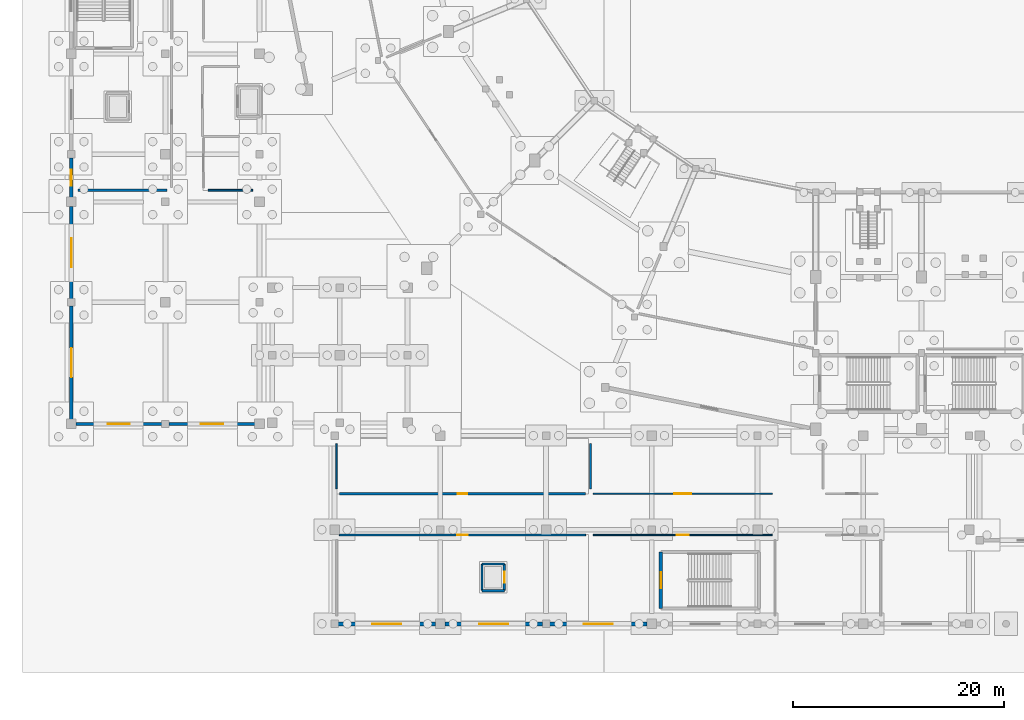
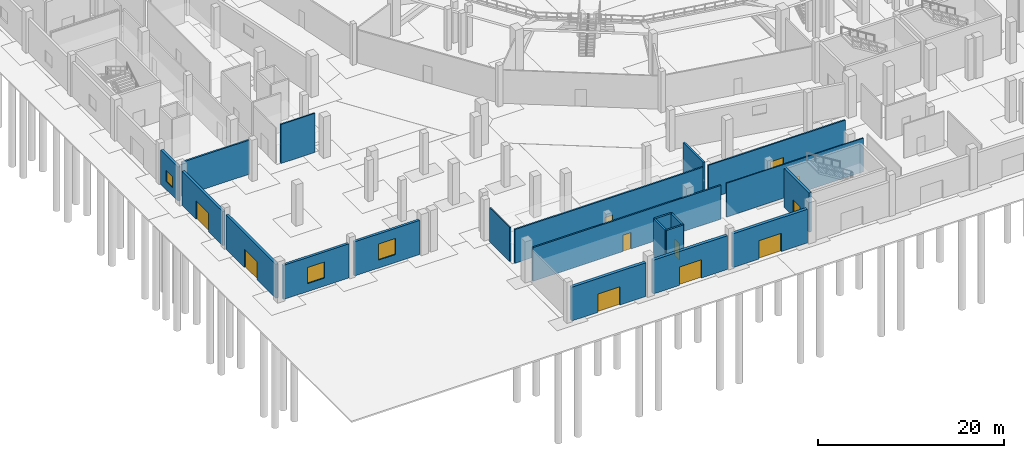
# One storey, part 24 of 68: 21 walls, 11 doors, 3 windows, 14 openings.
"""IFC4 building model written with IfcOpenShell, lengths in metres."""

from ifc_helpers import new_model, si_unit, direction, frame, frame_2d, origin, place, context, subcontext, project, spatial, rectangle, extrude, material, layer, layer_set, type_object, element, fill, save


model = new_model("IFC4")

# Units and contexts
model_context = context("Model", 3, precision=1e-05, world=origin(), true_north=direction((0.0, 1.0)))
body_context = subcontext(model_context, "Body", "Model", "MODEL_VIEW")
ifc_project = project(units=[si_unit("LENGTHUNIT", "METRE"), si_unit("AREAUNIT", "SQUARE_METRE"), si_unit("VOLUMEUNIT", "CUBIC_METRE"), si_unit("PLANEANGLEUNIT", "RADIAN"), si_unit("MASSUNIT", "GRAM", prefix="KILO")], contexts=[model_context])

# Site, building, storey
site_placement = place(None, origin())
site = spatial("IfcSite", under=ifc_project, at=site_placement, CompositionType="ELEMENT")
building_placement = place(site_placement, origin())
building = spatial("IfcBuilding", under=site, at=building_placement, Name="Candeia Ridge Stadium", CompositionType="ELEMENT")
storey_placement = place(building_placement, origin())
storey = spatial("IfcBuildingStorey", under=building, at=storey_placement, Name="L00", CompositionType="ELEMENT", Elevation=0.0)

# Wall
ifc_material_1 = material(Name="Concrete Masonry Blockwork C25/30", Category="masonry")
ifc_layer_1 = layer(ifc_material_1, 0.14990234375, Name="Concrete Masonry Blockwork C25/30", Category="masonry")
ifc_layer_set_1 = layer_set([ifc_layer_1], Name="Concrete Masonry Blockwork C25/30")
wall_type_1 = type_object("IfcWallType", Name="Concourse Kiosk Partition 150", PredefinedType="PARTITIONING", material=ifc_layer_set_1)
wall_1_placement = place(storey_placement, frame((25.699951171875, 13.35009765625, 0.0), z_axis=(0.0, 0.0, 1.0), x_axis=(0.0, 1.0, 0.0)))
element("IfcWall", 1, at=wall_1_placement, inside=storey, type_object=wall_type_1, Name="Demising partition PT-L00-0055", PredefinedType="PARTITIONING", context=body_context, shape_type="SweptSolid", body=[
    extrude(rectangle(XDim=4.2998046875, YDim=0.14990234375, at=frame_2d((2.14990234375, 0.0))), origin(), (0.0, 0.0, 1.0), 4.47509765625),
])

# Wall, opening, door
ifc_material_2 = material(Name="Concrete C45/55", Category="concrete")
ifc_layer_2 = layer(ifc_material_2, 0.300048828125, Name="Concrete C45/55", Category="concrete")
ifc_layer_set_2 = layer_set([ifc_layer_2], Name="Concrete C45/55")
wall_type_2 = type_object("IfcWallType", Name="Core Shear Wall Concrete 300", PredefinedType="SHEAR", material=ifc_layer_set_2)
wall_2_placement = place(storey_placement, frame((56.350341796875, 7.399658203125, 0.0), z_axis=(0.0, 0.0, 1.0), x_axis=(0.0, -1.0, 0.0)))
wall_2 = element("IfcWall", 2, at=wall_2_placement, inside=storey, type_object=wall_type_2, Name="Core C13 near shear wall L00", PredefinedType="SHEAR", context=body_context, shape_type="SweptSolid", body=[
    extrude(rectangle(XDim=5.349365234375, YDim=0.300048828125, at=frame_2d((2.6748046875, 0.0))), origin(), (0.0, 0.0, 1.0), 5.139892578125),
])
opening_1_placement = place(wall_2_placement, frame((1.924560546875, 0.0, 0.0)))
opening_1 = element("IfcOpeningElement", 3, at=opening_1_placement, cuts=wall_2, Name="Opening FD01", PredefinedType="OPENING", context=body_context, shape_type="SweptSolid", body=[
    extrude(rectangle(XDim=1.5, YDim=2.199951171875, at=frame_2d((0.75, 1.10009765625))), frame((0.0, 0.159912109375, 0.0), z_axis=(0.0, -1.0, 0.0), x_axis=(1.0, 0.0, 0.0)), (0.0, 0.0, 1.0), 0.320068359375),
])
ifc_material_3 = material(Name="Galvanized Fire-Rated Steel", Category="steel")
door_type_1 = type_object("IfcDoorType", Name="Exit Stair Core Fire Door 1500x2200", OperationType="NOTDEFINED", PredefinedType="DOOR", material=ifc_material_3)
door_1_placement = place(opening_1_placement, frame((1.5, 0.0, 0.0), z_axis=(0.0, 0.0, 1.0), x_axis=(-1.0, 0.0, 0.0)))
door_1 = element("IfcDoor", 4, at=door_1_placement, inside=storey, type_object=door_type_1, Name="Exit stair fire door SD-ST13-L00", OperationType="DOUBLE_DOOR_SINGLE_SWING", OverallHeight=2.199951171875, OverallWidth=1.5, PredefinedType="DOOR", context=body_context, shape_type="SweptSolid", body=[
    extrude(rectangle(XDim=1.5, YDim=2.199951171875, at=frame_2d((0.75, 1.10009765625))), frame((0.0, 0.02490234375, 0.0), z_axis=(0.0, -1.0, 0.0), x_axis=(1.0, 0.0, 0.0)), (0.0, 0.0, 1.0), 0.050048828125),
])
fill(opening_1, door_1)

# Wall
ifc_material_4 = material(Name="Moisture-Resistant Masonry & Tile", Category="masonry")
ifc_layer_3 = layer(ifc_material_4, 0.22998046875, Name="Moisture-Resistant Masonry & Tile", Category="masonry")
ifc_layer_set_3 = layer_set([ifc_layer_3], Name="Moisture-Resistant Masonry & Tile")
wall_type_3 = type_object("IfcWallType", Name="Dressing Suite Wet-Wall Chase 230", PredefinedType="PLUMBINGWALL", material=ifc_layer_set_3)
wall_3_placement = place(storey_placement, frame((49.699951171875, 13.35009765625, 0.0), z_axis=(0.0, 0.0, 1.0), x_axis=(0.0, 1.0, 0.0)))
element("IfcWall", 5, at=wall_3_placement, inside=storey, type_object=wall_type_3, Name="Demising partition PT-L00-0059", PredefinedType="PLUMBINGWALL", context=body_context, shape_type="SweptSolid", body=[
    extrude(rectangle(XDim=4.2998046875, YDim=0.22998046875, at=frame_2d((2.14990234375, 0.0))), origin(), (0.0, 0.0, 1.0), 4.625),
])

# Wall, opening, door
ifc_material_5 = material(Name="Concrete C35/45", Category="concrete")
ifc_layer_4 = layer(ifc_material_5, 0.320068359375, Name="Concrete C35/45", Category="concrete")
ifc_layer_set_4 = layer_set([ifc_layer_4], Name="Concrete C35/45")
wall_type_4 = type_object("IfcWallType", Name="Exterior Cedar-Clad Insulated Wall 320", PredefinedType="SOLIDWALL", material=ifc_layer_set_4)
wall_4_placement = place(storey_placement, frame((0.60009765625, 19.93798828125, 0.0), z_axis=(0.0, 0.0, 1.0), x_axis=(0.0, 1.0, 0.0)))
wall_4 = element("IfcWall", 6, at=wall_4_placement, inside=storey, type_object=wall_type_4, Name="Exterior facade wall EW-L00-0045", PredefinedType="SOLIDWALL", context=body_context, shape_type="SweptSolid", body=[
    extrude(rectangle(XDim=10.72412109375, YDim=0.320068359375, at=frame_2d((5.362060546875, 0.0))), origin(), (0.0, 0.0, 1.0), 4.47509765625),
])
opening_2_placement = place(wall_4_placement, frame((3.987060546875, 0.0, 0.0)))
opening_2 = element("IfcOpeningElement", 7, at=opening_2_placement, cuts=wall_4, Name="Opening ED01", PredefinedType="OPENING", context=body_context, shape_type="SweptSolid", body=[
    extrude(rectangle(XDim=2.75, YDim=2.39990234375, at=frame_2d((1.375, 1.199951171875))), frame((0.0, 0.169921875, 0.0), z_axis=(0.0, -1.0, 0.0), x_axis=(1.0, 0.0, 0.0)), (0.0, 0.0, 1.0), 0.340087890625),
])
ifc_material_6 = material(Name="Aluminium Anodized Glazed Door", Category="aluminium")
door_type_2 = type_object("IfcDoorType", Name="Pedestrian Exit Double Door 2750x2400", OperationType="NOTDEFINED", PredefinedType="DOOR", material=ifc_material_6)
door_2_placement = place(opening_2_placement, origin())
door_2 = element("IfcDoor", 8, at=door_2_placement, inside=storey, type_object=door_type_2, Name="Pedestrian exit gate G01", OperationType="DOUBLE_DOOR_SINGLE_SWING", OverallHeight=2.39990234375, OverallWidth=2.75, PredefinedType="DOOR", context=body_context, shape_type="SweptSolid", body=[
    extrude(rectangle(XDim=2.75, YDim=2.39990234375, at=frame_2d((1.375, 1.199951171875))), frame((0.0, 0.02490234375, 0.0), z_axis=(0.0, -1.0, 0.0), x_axis=(1.0, 0.0, 0.0)), (0.0, 0.0, 1.0), 0.050048828125),
])
fill(opening_2, door_2)

wall_5_placement = place(storey_placement, frame((0.60009765625, 31.337890625, 0.0), z_axis=(0.0, 0.0, 1.0), x_axis=(0.0, 1.0, 0.0)))
wall_5 = element("IfcWall", 9, at=wall_5_placement, inside=storey, type_object=wall_type_4, Name="Exterior facade wall EW-L00-0046", PredefinedType="SOLIDWALL", context=body_context, shape_type="SweptSolid", body=[
    extrude(rectangle(XDim=8.72412109375, YDim=0.320068359375, at=frame_2d((4.362060546875, 0.0))), origin(), (0.0, 0.0, 1.0), 4.47509765625),
])
opening_3_placement = place(wall_5_placement, frame((2.987060546875, 0.0, 0.0)))
opening_3 = element("IfcOpeningElement", 10, at=opening_3_placement, cuts=wall_5, Name="Opening ED01", PredefinedType="OPENING", context=body_context, shape_type="SweptSolid", body=[
    extrude(rectangle(XDim=2.75, YDim=2.39990234375, at=frame_2d((1.375, 1.199951171875))), frame((0.0, 0.169921875, 0.0), z_axis=(0.0, -1.0, 0.0), x_axis=(1.0, 0.0, 0.0)), (0.0, 0.0, 1.0), 0.340087890625),
])
door_3_placement = place(opening_3_placement, origin())
door_3 = element("IfcDoor", 11, at=door_3_placement, inside=storey, type_object=door_type_2, Name="Pedestrian exit gate G02", OperationType="DOUBLE_DOOR_SINGLE_SWING", OverallHeight=2.39990234375, OverallWidth=2.75, PredefinedType="DOOR", context=body_context, shape_type="SweptSolid", body=[
    extrude(rectangle(XDim=2.75, YDim=2.39990234375, at=frame_2d((1.375, 1.199951171875))), frame((0.0, 0.02490234375, 0.0), z_axis=(0.0, -1.0, 0.0), x_axis=(1.0, 0.0, 0.0)), (0.0, 0.0, 1.0), 0.050048828125),
])
fill(opening_3, door_3)

# Wall, opening, window
wall_6_placement = place(storey_placement, frame((0.60009765625, 40.93798828125, 0.0), z_axis=(0.0, 0.0, 1.0), x_axis=(0.0, 1.0, 0.0)))
wall_6 = element("IfcWall", 12, at=wall_6_placement, inside=storey, type_object=wall_type_4, Name="Exterior facade wall EW-L00-0047", PredefinedType="SOLIDWALL", context=body_context, shape_type="SweptSolid", body=[
    extrude(rectangle(XDim=3.72412109375, YDim=0.320068359375, at=frame_2d((1.862060546875, 0.0))), origin(), (0.0, 0.0, 1.0), 4.47509765625),
])
opening_4_placement = place(wall_6_placement, frame((1.112060546875, 0.0, 1.050048828125)))
opening_4 = element("IfcOpeningElement", 13, at=opening_4_placement, cuts=wall_6, Name="Opening W14", PredefinedType="OPENING", context=body_context, shape_type="SweptSolid", body=[
    extrude(rectangle(XDim=1.5, YDim=1.5, at=frame_2d((0.75, 0.75))), frame((0.0, 0.169921875, 0.0), z_axis=(0.0, -1.0, 0.0), x_axis=(1.0, 0.0, 0.0)), (0.0, 0.0, 1.0), 0.340087890625),
])
ifc_material_7 = material(Name="Tempered Solar-Control Double Glazing", Category="glass")
window_type_1 = type_object("IfcWindowType", Name="Medical & Admin Window 1500x1500", PartitioningType="SINGLE_PANEL", PredefinedType="WINDOW", material=ifc_material_7)
window_1_placement = place(opening_4_placement, origin())
window_1 = element("IfcWindow", 14, at=window_1_placement, inside=storey, type_object=window_type_1, Name="Exterior window WIN-L00-009", OverallHeight=1.5, OverallWidth=1.5, PartitioningType="SINGLE_PANEL", PredefinedType="WINDOW", context=body_context, shape_type="SweptSolid", body=[
    extrude(rectangle(XDim=1.5, YDim=1.5, at=frame_2d((0.75, 0.75))), frame((0.0, 0.030029296875, 0.0), z_axis=(0.0, -1.0, 0.0), x_axis=(1.0, 0.0, 0.0)), (0.0, 0.0, 1.0), 0.06005859375),
])
fill(opening_4, window_1)

# Wall, opening, door
ifc_material_8 = material(Name="Concrete C40/50", Category="concrete")
ifc_layer_5 = layer(ifc_material_8, 0.3798828125, Name="Concrete C40/50", Category="concrete")
ifc_layer_set_5 = layer_set([ifc_layer_5], Name="Concrete C40/50")
wall_type_5 = type_object("IfcWallType", Name="Exterior Museum Gallery Wall 380", PredefinedType="SOLIDWALL", material=ifc_layer_set_5)
wall_7_placement = place(storey_placement, frame((25.837890625, 0.60009765625, 0.0), z_axis=(0.0, 0.0, 1.0), x_axis=(1.0, 0.0, 0.0)))
wall_7 = element("IfcWall", 15, at=wall_7_placement, inside=storey, type_object=wall_type_5, Name="Exterior facade wall EW-L00-0154", PredefinedType="SOLIDWALL", context=body_context, shape_type="SweptSolid", body=[
    extrude(rectangle(XDim=9.22412109375, YDim=0.3798828125, at=frame_2d((4.612060546875, 0.0))), origin(), (0.0, 0.0, 1.0), 4.425048828125),
])
opening_5_placement = place(wall_7_placement, frame((3.237060546875, 0.0, 0.0)))
opening_5 = element("IfcOpeningElement", 16, at=opening_5_placement, cuts=wall_7, Name="Opening ED01", PredefinedType="OPENING", context=body_context, shape_type="SweptSolid", body=[
    extrude(rectangle(XDim=2.75, YDim=2.39990234375, at=frame_2d((1.375, 1.199951171875))), frame((0.0, 0.199951171875, 0.0), z_axis=(0.0, -1.0, 0.0), x_axis=(1.0, 0.0, 0.0)), (0.0, 0.0, 1.0), 0.39990234375),
])
door_4_placement = place(opening_5_placement, frame((2.75, 0.0, 0.0), z_axis=(0.0, 0.0, 1.0), x_axis=(-1.0, 0.0, 0.0)))
door_4 = element("IfcDoor", 17, at=door_4_placement, inside=storey, type_object=door_type_2, Name="Pedestrian exit gate G15", OperationType="DOUBLE_DOOR_SINGLE_SWING", OverallHeight=2.39990234375, OverallWidth=2.75, PredefinedType="DOOR", context=body_context, shape_type="SweptSolid", body=[
    extrude(rectangle(XDim=2.75, YDim=2.39990234375, at=frame_2d((1.375, 1.199951171875))), frame((0.0, 0.02490234375, 0.0), z_axis=(0.0, -1.0, 0.0), x_axis=(1.0, 0.0, 0.0)), (0.0, 0.0, 1.0), 0.050048828125),
])
fill(opening_5, door_4)

wall_8_placement = place(storey_placement, frame((35.93798828125, 0.60009765625, 0.0), z_axis=(0.0, 0.0, 1.0), x_axis=(1.0, 0.0, 0.0)))
wall_8 = element("IfcWall", 18, at=wall_8_placement, inside=storey, type_object=wall_type_5, Name="Exterior facade wall EW-L00-0155", PredefinedType="SOLIDWALL", context=body_context, shape_type="SweptSolid", body=[
    extrude(rectangle(XDim=9.22412109375, YDim=0.3798828125, at=frame_2d((4.612060546875, 0.0))), origin(), (0.0, 0.0, 1.0), 4.425048828125),
])
opening_6_placement = place(wall_8_placement, frame((3.237060546875, 0.0, 0.0)))
opening_6 = element("IfcOpeningElement", 19, at=opening_6_placement, cuts=wall_8, Name="Opening ED01", PredefinedType="OPENING", context=body_context, shape_type="SweptSolid", body=[
    extrude(rectangle(XDim=2.75, YDim=2.39990234375, at=frame_2d((1.375, 1.199951171875))), frame((0.0, 0.199951171875, 0.0), z_axis=(0.0, -1.0, 0.0), x_axis=(1.0, 0.0, 0.0)), (0.0, 0.0, 1.0), 0.39990234375),
])
door_5_placement = place(opening_6_placement, frame((2.75, 0.0, 0.0), z_axis=(0.0, 0.0, 1.0), x_axis=(-1.0, 0.0, 0.0)))
door_5 = element("IfcDoor", 20, at=door_5_placement, inside=storey, type_object=door_type_2, Name="Pedestrian exit gate G16", OperationType="DOUBLE_DOOR_SINGLE_SWING", OverallHeight=2.39990234375, OverallWidth=2.75, PredefinedType="DOOR", context=body_context, shape_type="SweptSolid", body=[
    extrude(rectangle(XDim=2.75, YDim=2.39990234375, at=frame_2d((1.375, 1.199951171875))), frame((0.0, 0.02490234375, 0.0), z_axis=(0.0, -1.0, 0.0), x_axis=(1.0, 0.0, 0.0)), (0.0, 0.0, 1.0), 0.050048828125),
])
fill(opening_6, door_5)

wall_9_placement = place(storey_placement, frame((45.837890625, 0.60009765625, 0.0), z_axis=(0.0, 0.0, 1.0), x_axis=(1.0, 0.0, 0.0)))
wall_9 = element("IfcWall", 21, at=wall_9_placement, inside=storey, type_object=wall_type_5, Name="Exterior facade wall EW-L00-0156", PredefinedType="SOLIDWALL", context=body_context, shape_type="SweptSolid", body=[
    extrude(rectangle(XDim=9.22412109375, YDim=0.3798828125, at=frame_2d((4.612060546875, 0.0))), origin(), (0.0, 0.0, 1.0), 4.425048828125),
])
opening_7_placement = place(wall_9_placement, frame((3.237060546875, 0.0, 0.0)))
opening_7 = element("IfcOpeningElement", 22, at=opening_7_placement, cuts=wall_9, Name="Opening ED01", PredefinedType="OPENING", context=body_context, shape_type="SweptSolid", body=[
    extrude(rectangle(XDim=2.75, YDim=2.39990234375, at=frame_2d((1.375, 1.199951171875))), frame((0.0, 0.199951171875, 0.0), z_axis=(0.0, -1.0, 0.0), x_axis=(1.0, 0.0, 0.0)), (0.0, 0.0, 1.0), 0.39990234375),
])
door_6_placement = place(opening_7_placement, frame((2.75, 0.0, 0.0), z_axis=(0.0, 0.0, 1.0), x_axis=(-1.0, 0.0, 0.0)))
door_6 = element("IfcDoor", 23, at=door_6_placement, inside=storey, type_object=door_type_2, Name="Pedestrian exit gate G17", OperationType="DOUBLE_DOOR_SINGLE_SWING", OverallHeight=2.39990234375, OverallWidth=2.75, PredefinedType="DOOR", context=body_context, shape_type="SweptSolid", body=[
    extrude(rectangle(XDim=2.75, YDim=2.39990234375, at=frame_2d((1.375, 1.199951171875))), frame((0.0, 0.02490234375, 0.0), z_axis=(0.0, -1.0, 0.0), x_axis=(1.0, 0.0, 0.0)), (0.0, 0.0, 1.0), 0.050048828125),
])
fill(opening_7, door_6)

# Wall, opening, window
ifc_layer_6 = layer(ifc_material_5, 0.300048828125, Name="Concrete C35/45", Category="concrete")
ifc_layer_set_6 = layer_set([ifc_layer_6], Name="Concrete C35/45")
wall_type_6 = type_object("IfcWallType", Name="Exterior Pavilion Rainscreen Wall 300", PredefinedType="SOLIDWALL", material=ifc_layer_set_6)
wall_10_placement = place(storey_placement, frame((1.0380859375, 19.5, 0.0), z_axis=(0.0, 0.0, 1.0), x_axis=(1.0, 0.0, 0.0)))
wall_10 = element("IfcWall", 24, at=wall_10_placement, inside=storey, type_object=wall_type_6, Name="Exterior facade wall EW-L00-0059", PredefinedType="SOLIDWALL", context=body_context, shape_type="SweptSolid", body=[
    extrude(rectangle(XDim=8.1240234375, YDim=0.300048828125, at=frame_2d((4.06201171875, 0.0))), origin(), (0.0, 0.0, 1.0), 4.47509765625),
])
opening_8_placement = place(wall_10_placement, frame((3.011962890625, 0.0, 1.050048828125)))
opening_8 = element("IfcOpeningElement", 25, at=opening_8_placement, cuts=wall_10, Name="Opening W04", PredefinedType="OPENING", context=body_context, shape_type="SweptSolid", body=[
    extrude(rectangle(XDim=2.10009765625, YDim=2.10009765625, at=frame_2d((1.050048828125, 1.050048828125))), frame((0.0, 0.159912109375, 0.0), z_axis=(0.0, -1.0, 0.0), x_axis=(1.0, 0.0, 0.0)), (0.0, 0.0, 1.0), 0.320068359375),
])
window_type_2 = type_object("IfcWindowType", Name="Hospitality Ribbon Window 2100x2100", PartitioningType="SINGLE_PANEL", PredefinedType="WINDOW", material=ifc_material_7)
window_2_placement = place(opening_8_placement, origin())
window_2 = element("IfcWindow", 26, at=window_2_placement, inside=storey, type_object=window_type_2, Name="Exterior window WIN-L00-015", OverallHeight=2.10009765625, OverallWidth=2.10009765625, PartitioningType="SINGLE_PANEL", PredefinedType="WINDOW", context=body_context, shape_type="SweptSolid", body=[
    extrude(rectangle(XDim=2.10009765625, YDim=2.10009765625, at=frame_2d((1.050048828125, 1.050048828125))), frame((0.0, 0.030029296875, 0.0), z_axis=(0.0, -1.0, 0.0), x_axis=(1.0, 0.0, 0.0)), (0.0, 0.0, 1.0), 0.06005859375),
])
fill(opening_8, window_2)

wall_11_placement = place(storey_placement, frame((9.837890625, 19.5, 0.0), z_axis=(0.0, 0.0, 1.0), x_axis=(1.0, 0.0, 0.0)))
wall_11 = element("IfcWall", 27, at=wall_11_placement, inside=storey, type_object=wall_type_6, Name="Exterior facade wall EW-L00-0060", PredefinedType="SOLIDWALL", context=body_context, shape_type="SweptSolid", body=[
    extrude(rectangle(XDim=8.1240234375, YDim=0.300048828125, at=frame_2d((4.06201171875, 0.0))), origin(), (0.0, 0.0, 1.0), 4.47509765625),
])
opening_9_placement = place(wall_11_placement, frame((3.011962890625, 0.0, 1.050048828125)))
opening_9 = element("IfcOpeningElement", 28, at=opening_9_placement, cuts=wall_11, Name="Opening W04", PredefinedType="OPENING", context=body_context, shape_type="SweptSolid", body=[
    extrude(rectangle(XDim=2.10009765625, YDim=2.10009765625, at=frame_2d((1.050048828125, 1.050048828125))), frame((0.0, 0.159912109375, 0.0), z_axis=(0.0, -1.0, 0.0), x_axis=(1.0, 0.0, 0.0)), (0.0, 0.0, 1.0), 0.320068359375),
])
window_3_placement = place(opening_9_placement, origin())
window_3 = element("IfcWindow", 29, at=window_3_placement, inside=storey, type_object=window_type_2, Name="Exterior window WIN-L00-016", OverallHeight=2.10009765625, OverallWidth=2.10009765625, PartitioningType="SINGLE_PANEL", PredefinedType="WINDOW", context=body_context, shape_type="SweptSolid", body=[
    extrude(rectangle(XDim=2.10009765625, YDim=2.10009765625, at=frame_2d((1.050048828125, 1.050048828125))), frame((0.0, 0.030029296875, 0.0), z_axis=(0.0, -1.0, 0.0), x_axis=(1.0, 0.0, 0.0)), (0.0, 0.0, 1.0), 0.06005859375),
])
fill(opening_9, window_3)

# Wall
ifc_layer_7 = layer(ifc_material_8, 0.219970703125, Name="Concrete C40/50", Category="concrete")
ifc_layer_set_7 = layer_set([ifc_layer_7], Name="Concrete C40/50")
wall_type_7 = type_object("IfcWallType", Name="Lift & Riser Shaft Wall 220", PredefinedType="SHEAR", material=ifc_layer_set_7)
wall_12_placement = place(storey_placement, frame((39.43994140625, 3.739990234375, -1.10009765625), z_axis=(0.0, 0.0, 1.0), x_axis=(1.0, 0.0, 0.0)))
element("IfcWall", 30, at=wall_12_placement, inside=storey, type_object=wall_type_7, Name="Lift PL5 shaft wall L00 south", PredefinedType="SHEAR", context=body_context, shape_type="SweptSolid", body=[
    extrude(rectangle(XDim=2.1201171875, YDim=0.219970703125, at=frame_2d((1.06005859375, 0.0))), origin(), (0.0, 0.0, 1.0), 6.239990234375),
])

# Wall, opening, door
wall_13_placement = place(storey_placement, frame((41.56005859375, 3.739990234375, -1.10009765625), z_axis=(0.0, 0.0, 1.0), x_axis=(0.0, 1.0, 0.0)))
wall_13 = element("IfcWall", 31, at=wall_13_placement, inside=storey, type_object=wall_type_7, Name="Lift PL5 shaft wall L00 east", PredefinedType="SHEAR", context=body_context, shape_type="SweptSolid", body=[
    extrude(rectangle(XDim=2.52001953125, YDim=0.219970703125, at=frame_2d((1.260009765625, 0.0))), origin(), (0.0, 0.0, 1.0), 6.239990234375),
])
opening_10_placement = place(wall_13_placement, frame((0.735107421875, 0.0, 1.10009765625)))
opening_10 = element("IfcOpeningElement", 32, at=opening_10_placement, cuts=wall_13, Name="Opening LD02", PredefinedType="OPENING", context=body_context, shape_type="SweptSolid", body=[
    extrude(rectangle(XDim=1.050048828125, YDim=2.14990234375, at=frame_2d((0.52490234375, 1.074951171875))), frame((0.0, 0.119873046875, 0.0), z_axis=(0.0, -1.0, 0.0), x_axis=(1.0, 0.0, 0.0)), (0.0, 0.0, 1.0), 0.239990234375),
])
ifc_material_9 = material(Name="Brushed Stainless Steel", Category="steel")
door_type_3 = type_object("IfcDoorType", Name="Passenger Lift Landing Door 1050x2150", OperationType="NOTDEFINED", PredefinedType="DOOR", material=ifc_material_9)
door_7_placement = place(opening_10_placement, origin())
door_7 = element("IfcDoor", 33, at=door_7_placement, inside=storey, type_object=door_type_3, Name="Lift landing sliding door LD-PL5-L00", OperationType="DOUBLE_DOOR_SLIDING", OverallHeight=2.14990234375, OverallWidth=1.050048828125, PredefinedType="DOOR", context=body_context, shape_type="SweptSolid", body=[
    extrude(rectangle(XDim=1.050048828125, YDim=2.14990234375, at=frame_2d((0.52490234375, 1.074951171875))), frame((0.0, 0.02490234375, 0.0), z_axis=(0.0, -1.0, 0.0), x_axis=(1.0, 0.0, 0.0)), (0.0, 0.0, 1.0), 0.050048828125),
])
fill(opening_10, door_7)

# Walls
wall_14_placement = place(storey_placement, frame((41.56005859375, 6.260009765625, -1.10009765625), z_axis=(0.0, 0.0, 1.0), x_axis=(-1.0, 0.0, 0.0)))
element("IfcWall", 34, at=wall_14_placement, inside=storey, type_object=wall_type_7, Name="Lift PL5 shaft wall L00 north", PredefinedType="SHEAR", context=body_context, shape_type="SweptSolid", body=[
    extrude(rectangle(XDim=2.1201171875, YDim=0.219970703125, at=frame_2d((1.06005859375, 0.0))), origin(), (0.0, 0.0, 1.0), 6.239990234375),
])
wall_15_placement = place(storey_placement, frame((39.43994140625, 6.260009765625, -1.10009765625), z_axis=(0.0, 0.0, 1.0), x_axis=(0.0, -1.0, 0.0)))
element("IfcWall", 35, at=wall_15_placement, inside=storey, type_object=wall_type_7, Name="Lift PL5 shaft wall L00 west", PredefinedType="SHEAR", context=body_context, shape_type="SweptSolid", body=[
    extrude(rectangle(XDim=2.52001953125, YDim=0.219970703125, at=frame_2d((1.260009765625, 0.0))), origin(), (0.0, 0.0, 1.0), 6.239990234375),
])

# Wall, opening, door
ifc_material_10 = material(Name="Gypsum Acoustic Triple-Board Wall", Category="gypsum")
ifc_layer_8 = layer(ifc_material_10, 0.18994140625, Name="Gypsum Acoustic Triple-Board Wall", Category="gypsum")
ifc_layer_set_8 = layer_set([ifc_layer_8], Name="Gypsum Acoustic Triple-Board Wall")
wall_type_8 = type_object("IfcWallType", Name="Media & Commentary Studio Wall 190", PredefinedType="PARTITIONING", material=ifc_layer_set_8)
wall_16_placement = place(storey_placement, frame((49.25, 12.89990234375, 0.0), z_axis=(0.0, 0.0, 1.0), x_axis=(-1.0, 0.0, 0.0)))
wall_16 = element("IfcWall", 36, at=wall_16_placement, inside=storey, type_object=wall_type_8, Name="Interior partition PT-L00-0054", PredefinedType="PARTITIONING", context=body_context, shape_type="SweptSolid", body=[
    extrude(rectangle(XDim=23.300048828125, YDim=0.18994140625, at=frame_2d((11.64990234375, 0.0))), origin(), (0.0, 0.0, 1.0), 4.425048828125),
])
opening_11_placement = place(wall_16_placement, frame((11.18994140625, 0.0, 0.0)))
opening_11 = element("IfcOpeningElement", 37, at=opening_11_placement, cuts=wall_16, Name="Opening ID15", PredefinedType="OPENING", context=body_context, shape_type="SweptSolid", body=[
    extrude(rectangle(XDim=0.919921875, YDim=2.10009765625, at=frame_2d((0.4599609375, 1.050048828125))), frame((0.0, 0.10498046875, 0.0), z_axis=(0.0, -1.0, 0.0), x_axis=(1.0, 0.0, 0.0)), (0.0, 0.0, 1.0), 0.2099609375),
])
ifc_material_11 = material(Name="Powder-Coated Hollow Metal", Category="steel")
door_type_4 = type_object("IfcDoorType", Name="Concourse Store Single Door 920x2100", OperationType="NOTDEFINED", PredefinedType="DOOR", material=ifc_material_11)
door_8_placement = place(opening_11_placement, frame((0.919921875, 0.0, 0.0), z_axis=(0.0, 0.0, 1.0), x_axis=(-1.0, 0.0, 0.0)))
door_8 = element("IfcDoor", 38, at=door_8_placement, inside=storey, type_object=door_type_4, Name="Interior room door D-L00-0030", OperationType="SINGLE_SWING_LEFT", OverallHeight=2.10009765625, OverallWidth=0.919921875, PredefinedType="DOOR", context=body_context, shape_type="SweptSolid", body=[
    extrude(rectangle(XDim=0.919921875, YDim=2.10009765625, at=frame_2d((0.4599609375, 1.050048828125))), frame((0.0, 0.02490234375, 0.0), z_axis=(0.0, -1.0, 0.0), x_axis=(1.0, 0.0, 0.0)), (0.0, 0.0, 1.0), 0.050048828125),
])
fill(opening_11, door_8)

ifc_layer_9 = layer(ifc_material_10, 0.18505859375, Name="Gypsum Acoustic Triple-Board Wall", Category="gypsum")
ifc_layer_set_9 = layer_set([ifc_layer_9], Name="Gypsum Acoustic Triple-Board Wall")
wall_type_9 = type_object("IfcWallType", Name="Media Booth Studio Divider 185", PredefinedType="PARTITIONING", material=ifc_layer_set_9)
wall_17_placement = place(storey_placement, frame((25.949951171875, 9.0, 0.0), z_axis=(0.0, 0.0, 1.0), x_axis=(1.0, 0.0, 0.0)))
wall_17 = element("IfcWall", 39, at=wall_17_placement, inside=storey, type_object=wall_type_9, Name="Interior partition PT-L00-0052", PredefinedType="PARTITIONING", context=body_context, shape_type="SweptSolid", body=[
    extrude(rectangle(XDim=23.300048828125, YDim=0.18505859375, at=frame_2d((11.64990234375, 0.0))), origin(), (0.0, 0.0, 1.0), 4.425048828125),
])
opening_12_placement = place(wall_17_placement, frame((11.159912109375, 0.0, 0.0)))
opening_12 = element("IfcOpeningElement", 40, at=opening_12_placement, cuts=wall_17, Name="Opening ID12", PredefinedType="OPENING", context=body_context, shape_type="SweptSolid", body=[
    extrude(rectangle(XDim=0.97998046875, YDim=2.14990234375, at=frame_2d((0.489990234375, 1.074951171875))), frame((0.0, 0.1025390625, 0.0), z_axis=(0.0, -1.0, 0.0), x_axis=(1.0, 0.0, 0.0)), (0.0, 0.0, 1.0), 0.205078125),
])
ifc_material_12 = material(Name="Acoustic Timber Studio Leaf", Category="wood")
door_type_5 = type_object("IfcDoorType", Name="Commentary Booth Acoustic Door 980x2150", OperationType="NOTDEFINED", PredefinedType="DOOR", material=ifc_material_12)
door_9_placement = place(opening_12_placement, origin())
door_9 = element("IfcDoor", 41, at=door_9_placement, inside=storey, type_object=door_type_5, Name="Interior room door D-L00-0029", OperationType="SINGLE_SWING_RIGHT", OverallHeight=2.14990234375, OverallWidth=0.97998046875, PredefinedType="DOOR", context=body_context, shape_type="SweptSolid", body=[
    extrude(rectangle(XDim=0.97998046875, YDim=2.14990234375, at=frame_2d((0.489990234375, 1.074951171875))), frame((0.0, 0.02490234375, 0.0), z_axis=(0.0, -1.0, 0.0), x_axis=(1.0, 0.0, 0.0)), (0.0, 0.0, 1.0), 0.050048828125),
])
fill(opening_12, door_9)

# Wall
ifc_material_13 = material(Name="Gypsum Acoustic Twin-Stud Assembly", Category="gypsum")
ifc_layer_10 = layer(ifc_material_13, 0.175048828125, Name="Gypsum Acoustic Twin-Stud Assembly", Category="gypsum")
ifc_layer_set_10 = layer_set([ifc_layer_10], Name="Gypsum Acoustic Twin-Stud Assembly")
wall_type_10 = type_object("IfcWallType", Name="Museum Acoustic Gallery Wall 175", PredefinedType="PARTITIONING", material=ifc_layer_set_10)
wall_18_placement = place(storey_placement, frame((17.75, 41.60400390625, 0.0), z_axis=(0.0, 0.0, 1.0), x_axis=(-1.0, 0.0, 0.0)))
element("IfcWall", 42, at=wall_18_placement, inside=storey, type_object=wall_type_10, Name="Demising partition PT-L00-0004", PredefinedType="PARTITIONING", context=body_context, shape_type="SweptSolid", body=[
    extrude(rectangle(XDim=4.199951171875, YDim=0.175048828125, at=frame_2d((2.10009765625, 0.0))), origin(), (0.0, 0.0, 1.0), 5.1201171875),
])

# Wall, opening, door
wall_19_placement = place(storey_placement, frame((66.909912109375, 12.89990234375, 0.0), z_axis=(0.0, 0.0, 1.0), x_axis=(-1.0, 0.0, 0.0)))
wall_19 = element("IfcWall", 43, at=wall_19_placement, inside=storey, type_object=wall_type_10, Name="Interior partition PT-L00-0058", PredefinedType="PARTITIONING", context=body_context, shape_type="SweptSolid", body=[
    extrude(rectangle(XDim=16.9599609375, YDim=0.175048828125, at=frame_2d((8.47998046875, 0.0))), origin(), (0.0, 0.0, 1.0), 4.425048828125),
])
opening_13_placement = place(wall_19_placement, frame((7.679931640625, 0.0, 0.0)))
opening_13 = element("IfcOpeningElement", 44, at=opening_13_placement, cuts=wall_19, Name="Opening ID03", PredefinedType="OPENING", context=body_context, shape_type="SweptSolid", body=[
    extrude(rectangle(XDim=1.60009765625, YDim=2.199951171875, at=frame_2d((0.800048828125, 1.10009765625))), frame((0.0, 0.097412109375, 0.0), z_axis=(0.0, -1.0, 0.0), x_axis=(1.0, 0.0, 0.0)), (0.0, 0.0, 1.0), 0.195068359375),
])
ifc_material_14 = material(Name="Solid Core Hardwood Veneer", Category="wood")
door_type_6 = type_object("IfcDoorType", Name="Athlete Dressing Double Door 1600x2200", OperationType="NOTDEFINED", PredefinedType="DOOR", material=ifc_material_14)
door_10_placement = place(opening_13_placement, origin())
door_10 = element("IfcDoor", 45, at=door_10_placement, inside=storey, type_object=door_type_6, Name="Interior room door D-L00-0032", OperationType="DOUBLE_DOOR_SINGLE_SWING", OverallHeight=2.199951171875, OverallWidth=1.60009765625, PredefinedType="DOOR", context=body_context, shape_type="SweptSolid", body=[
    extrude(rectangle(XDim=1.60009765625, YDim=2.199951171875, at=frame_2d((0.800048828125, 1.10009765625))), frame((0.0, 0.02490234375, 0.0), z_axis=(0.0, -1.0, 0.0), x_axis=(1.0, 0.0, 0.0)), (0.0, 0.0, 1.0), 0.050048828125),
])
fill(opening_13, door_10)

# Wall
ifc_layer_11 = layer(ifc_material_4, 0.2099609375, Name="Moisture-Resistant Masonry & Tile", Category="masonry")
ifc_layer_set_11 = layer_set([ifc_layer_11], Name="Moisture-Resistant Masonry & Tile")
wall_type_11 = type_object("IfcWallType", Name="Sanitary Wet-Wall Plumbing Chase 210", PredefinedType="PLUMBINGWALL", material=ifc_layer_set_11)
wall_20_placement = place(storey_placement, frame((9.64990234375, 41.60400390625, 0.0), z_axis=(0.0, 0.0, 1.0), x_axis=(-1.0, 0.0, 0.0)))
element("IfcWall", 46, at=wall_20_placement, inside=storey, type_object=wall_type_11, Name="Demising partition PT-L00-0002", PredefinedType="PLUMBINGWALL", context=body_context, shape_type="SweptSolid", body=[
    extrude(rectangle(XDim=8.39990234375, YDim=0.2099609375, at=frame_2d((4.199951171875, 0.0))), origin(), (0.0, 0.0, 1.0), 4.47509765625),
])

# Wall, opening, door
ifc_material_15 = material(Name="Gypsum Metal-Stud Partition", Category="gypsum")
ifc_layer_12 = layer(ifc_material_15, 0.1201171875, Name="Gypsum Metal-Stud Partition", Category="gypsum")
ifc_layer_set_12 = layer_set([ifc_layer_12], Name="Gypsum Metal-Stud Partition")
wall_type_12 = type_object("IfcWallType", Name="Suite Internal Divider 120", PredefinedType="PARTITIONING", material=ifc_layer_set_12)
wall_21_placement = place(storey_placement, frame((49.949951171875, 9.0, 0.0), z_axis=(0.0, 0.0, 1.0), x_axis=(1.0, 0.0, 0.0)))
wall_21 = element("IfcWall", 47, at=wall_21_placement, inside=storey, type_object=wall_type_12, Name="Interior partition PT-L00-0056", PredefinedType="PARTITIONING", context=body_context, shape_type="SweptSolid", body=[
    extrude(rectangle(XDim=16.9599609375, YDim=0.1201171875, at=frame_2d((8.47998046875, 0.0))), origin(), (0.0, 0.0, 1.0), 4.425048828125),
])
opening_14_placement = place(wall_21_placement, frame((7.919921875, 0.0, 0.0)))
opening_14 = element("IfcOpeningElement", 48, at=opening_14_placement, cuts=wall_21, Name="Opening ID18", PredefinedType="OPENING", context=body_context, shape_type="SweptSolid", body=[
    extrude(rectangle(XDim=1.1201171875, YDim=2.199951171875, at=frame_2d((0.56005859375, 1.10009765625))), frame((0.0, 0.070068359375, 0.0), z_axis=(0.0, -1.0, 0.0), x_axis=(1.0, 0.0, 0.0)), (0.0, 0.0, 1.0), 0.14013671875),
])
door_type_7 = type_object("IfcDoorType", Name="Control Room Security Door 1120x2200", OperationType="NOTDEFINED", PredefinedType="DOOR", material=ifc_material_3)
door_11_placement = place(opening_14_placement, frame((1.1201171875, 0.0, 0.0), z_axis=(0.0, 0.0, 1.0), x_axis=(-1.0, 0.0, 0.0)))
door_11 = element("IfcDoor", 49, at=door_11_placement, inside=storey, type_object=door_type_7, Name="Interior room door D-L00-0031", OperationType="SINGLE_SWING_RIGHT", OverallHeight=2.199951171875, OverallWidth=1.1201171875, PredefinedType="DOOR", context=body_context, shape_type="SweptSolid", body=[
    extrude(rectangle(XDim=1.1201171875, YDim=2.199951171875, at=frame_2d((0.56005859375, 1.10009765625))), frame((0.0, 0.02490234375, 0.0), z_axis=(0.0, -1.0, 0.0), x_axis=(1.0, 0.0, 0.0)), (0.0, 0.0, 1.0), 0.050048828125),
])
fill(opening_14, door_11)

save(model, "model.ifc")
